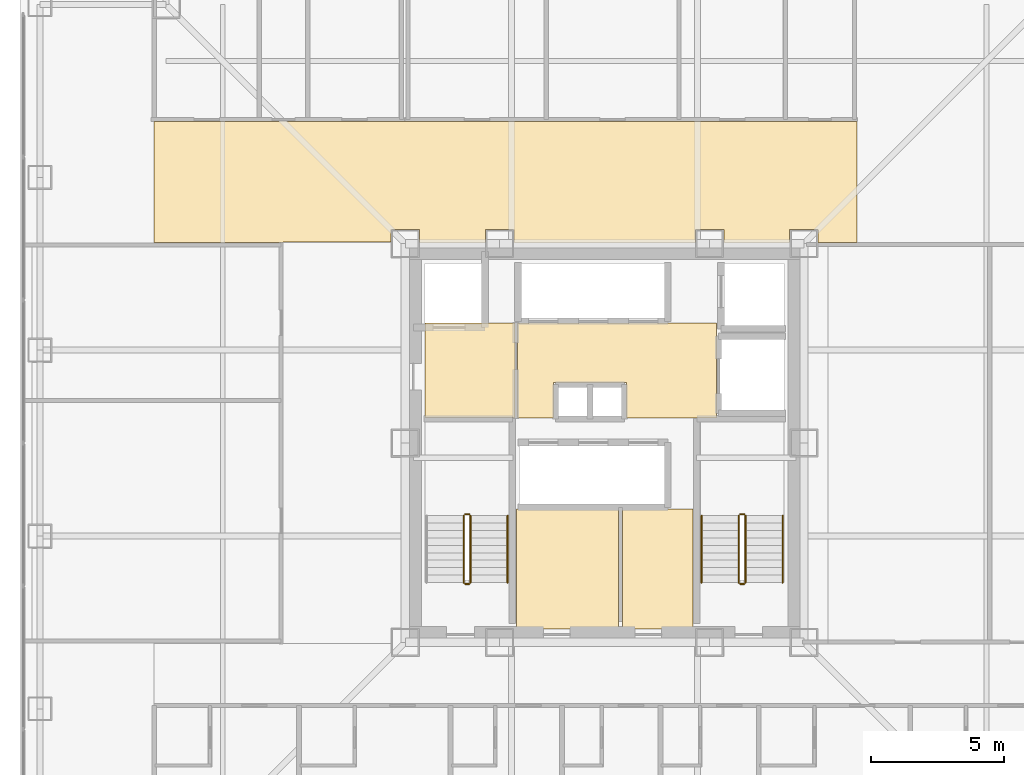
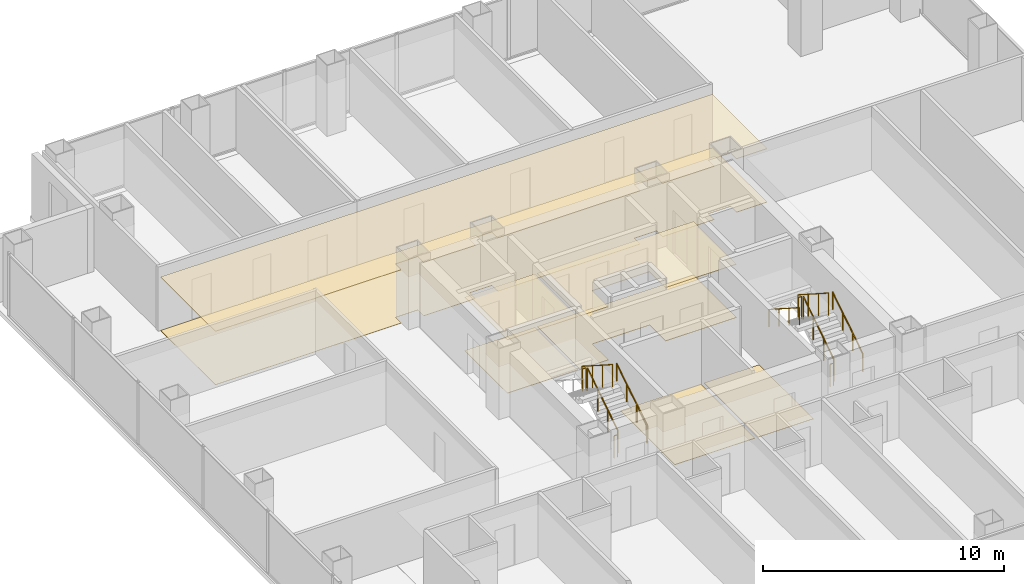
# One storey, part 17 of 18: 11 railings, 8 coverings.
"""IFC4 building model written with IfcOpenShell, lengths in metres."""

from ifc_helpers import new_model, si_unit, direction, frame, origin, origin_2d, place, context, subcontext, project, spatial, polyline, circle, outline, extrude, material, layer, layer_set, type_object, element, save


model = new_model("IFC4")

# Units and contexts
model_context = context("Model", 3, precision=1e-05, world=origin(), true_north=direction((0.0, 1.0)))
body_context = subcontext(model_context, "Body", "Model", "MODEL_VIEW")
ifc_project = project(units=[si_unit("LENGTHUNIT", "METRE"), si_unit("AREAUNIT", "SQUARE_METRE"), si_unit("VOLUMEUNIT", "CUBIC_METRE"), si_unit("PLANEANGLEUNIT", "RADIAN"), si_unit("MASSUNIT", "GRAM", prefix="KILO")], contexts=[model_context])

# Site, building, storey
site_placement = place(None, origin())
site = spatial("IfcSite", under=ifc_project, at=site_placement, CompositionType="ELEMENT")
building_placement = place(site_placement, origin())
building = spatial("IfcBuilding", under=site, at=building_placement, Name="Trevonay Congress Spire", CompositionType="ELEMENT")
storey_placement = place(building_placement, frame((0.0, 0.0, 151.60009765625)))
storey = spatial("IfcBuildingStorey", under=building, at=storey_placement, Name="L39", CompositionType="ELEMENT", Elevation=151.60009765625)

# Coverings
ifc_material_1 = material(Name="Acoustic Mineral Fibre Board", Category="gypsum")
ifc_layer_1 = layer(ifc_material_1, 0.02490234375, Name="Acoustic Mineral Fibre Board")
ifc_layer_set_1 = layer_set([ifc_layer_1], Name="Acoustic Mineral Fibre Board")
covering_type_1 = type_object("IfcCoveringType", Name="COV-CEIL-ACOUSTIC", PredefinedType="CEILING", material=ifc_layer_set_1)
covering_1_placement = place(storey_placement, frame((0.0, 0.0, 2.699951171875)))
element("IfcCovering", 1, at=covering_1_placement, inside=storey, type_object=covering_type_1, Name="L39 Firefighting Lift Lobby West acoustic suspended ceiling", PredefinedType="CEILING", context=body_context, shape_type="SweptSolid", body=[
    extrude(outline(polyline([(-6.75, 0.9599609375), (-3.3798828125, 0.9599609375), (-3.3798828125, 4.52001953125), (-6.75, 4.52001953125), (-6.75, 0.9599609375)])), origin(), (0.0, 0.0, 1.0), 0.02490234375),
])
covering_2_placement = place(storey_placement, frame((0.0, 0.0, 2.699951171875)))
element("IfcCovering", 2, at=covering_2_placement, inside=storey, type_object=covering_type_1, Name="L39 Central and High-Rise Passenger Lift Lobby acoustic suspended ceiling", PredefinedType="CEILING", context=body_context, shape_type="SweptSolid", body=[
    extrude(outline(polyline([(-3.280029296875, 0.949951171875), (-1.919921875, 0.949951171875), (-1.919921875, 2.280029296875), (0.820068359375, 2.280029296875), (0.820068359375, 0.949951171875), (4.219970703125, 0.949951171875), (4.219970703125, 4.52001953125), (-3.280029296875, 4.52001953125), (-3.280029296875, 0.949951171875)])), origin(), (0.0, 0.0, 1.0), 0.02490234375),
])
covering_3_placement = place(storey_placement, frame((0.0, 0.0, 2.699951171875)))
element("IfcCovering", 3, at=covering_3_placement, inside=storey, type_object=covering_type_1, Name="L39 North Sky Promenade Salon acoustic suspended ceiling", PredefinedType="CEILING", context=body_context, shape_type="SweptSolid", body=[
    extrude(outline(polyline([(-16.949951171875, 12.10009765625), (9.5, 12.10009765625), (9.5, 7.550048828125), (8.034912109375, 7.550048828125), (8.034912109375, 8.034912109375), (6.965087890625, 8.034912109375), (6.965087890625, 7.550048828125), (4.485107421875, 7.550048828125), (4.485107421875, 8.034912109375), (3.4150390625, 8.034912109375), (3.4150390625, 7.550048828125), (-3.4150390625, 7.550048828125), (-3.4150390625, 8.034912109375), (-4.485107421875, 8.034912109375), (-4.485107421875, 7.550048828125), (-6.965087890625, 7.550048828125), (-6.965087890625, 8.034912109375), (-8.034912109375, 8.034912109375), (-8.034912109375, 7.56005859375), (-12.110107421875, 7.56005859375), (-12.110107421875, 7.550048828125), (-16.949951171875, 7.550048828125), (-16.949951171875, 12.10009765625)])), origin(), (0.0, 0.0, 1.0), 0.02490234375),
])
ifc_material_2 = material(Name="Polished Granite Floor Tile", Category="masonry")
ifc_layer_2 = layer(ifc_material_2, 0.02001953125, Name="Polished Granite Floor Tile")
ifc_layer_set_2 = layer_set([ifc_layer_2], Name="Polished Granite Floor Tile")
covering_type_2 = type_object("IfcCoveringType", Name="COV-FLOOR-STONE", PredefinedType="FLOORING", material=ifc_layer_set_2)
covering_4_placement = place(storey_placement, origin())
element("IfcCovering", 4, at=covering_4_placement, inside=storey, type_object=covering_type_2, Name="L39 Firefighting Lift Lobby West floor finish", PredefinedType="FLOORING", context=body_context, shape_type="SweptSolid", body=[
    extrude(outline(polyline([(-6.75, 0.9599609375), (-3.3798828125, 0.9599609375), (-3.3798828125, 4.52001953125), (-6.75, 4.52001953125), (-6.75, 0.9599609375)])), origin(), (0.0, 0.0, 1.0), 0.02001953125),
])
covering_5_placement = place(storey_placement, origin())
element("IfcCovering", 5, at=covering_5_placement, inside=storey, type_object=covering_type_2, Name="L39 Central and High-Rise Passenger Lift Lobby floor finish", PredefinedType="FLOORING", context=body_context, shape_type="SweptSolid", body=[
    extrude(outline(polyline([(-3.280029296875, 0.949951171875), (-1.919921875, 0.949951171875), (-1.919921875, 2.280029296875), (0.820068359375, 2.280029296875), (0.820068359375, 0.949951171875), (4.219970703125, 0.949951171875), (4.219970703125, 4.52001953125), (-3.280029296875, 4.52001953125), (-3.280029296875, 0.949951171875)])), origin(), (0.0, 0.0, 1.0), 0.02001953125),
])
covering_6_placement = place(storey_placement, origin())
element("IfcCovering", 6, at=covering_6_placement, inside=storey, type_object=covering_type_2, Name="L39 Core Electrical Sub-Board Room floor finish", PredefinedType="FLOORING", context=body_context, shape_type="SweptSolid", body=[
    extrude(outline(polyline([(-3.320068359375, -7.0), (0.52001953125, -7.0), (0.52001953125, -2.47998046875), (-3.320068359375, -2.47998046875), (-3.320068359375, -7.0)])), origin(), (0.0, 0.0, 1.0), 0.02001953125),
])
covering_7_placement = place(storey_placement, origin())
element("IfcCovering", 7, at=covering_7_placement, inside=storey, type_object=covering_type_2, Name="L39 Cleaner and Housekeeping Store floor finish", PredefinedType="FLOORING", context=body_context, shape_type="SweptSolid", body=[
    extrude(outline(polyline([(0.679931640625, -7.0), (3.320068359375, -7.0), (3.320068359375, -2.47998046875), (0.679931640625, -2.47998046875), (0.679931640625, -7.0)])), origin(), (0.0, 0.0, 1.0), 0.02001953125),
])
ifc_material_3 = material(Name="Engineered Oak Flooring", Category="wood")
ifc_layer_3 = layer(ifc_material_3, 0.01806640625, Name="Engineered Oak Flooring")
ifc_layer_set_3 = layer_set([ifc_layer_3], Name="Engineered Oak Flooring")
covering_type_3 = type_object("IfcCoveringType", Name="COV-FLOOR-TIMBER", PredefinedType="FLOORING", material=ifc_layer_set_3)
covering_8_placement = place(storey_placement, origin())
element("IfcCovering", 8, at=covering_8_placement, inside=storey, type_object=covering_type_3, Name="L39 North Sky Promenade Salon floor finish", PredefinedType="FLOORING", context=body_context, shape_type="SweptSolid", body=[
    extrude(outline(polyline([(-16.949951171875, 12.10009765625), (9.5, 12.10009765625), (9.5, 7.550048828125), (8.034912109375, 7.550048828125), (8.034912109375, 8.034912109375), (6.965087890625, 8.034912109375), (6.965087890625, 7.550048828125), (4.485107421875, 7.550048828125), (4.485107421875, 8.034912109375), (3.4150390625, 8.034912109375), (3.4150390625, 7.550048828125), (-3.4150390625, 7.550048828125), (-3.4150390625, 8.034912109375), (-4.485107421875, 8.034912109375), (-4.485107421875, 7.550048828125), (-6.965087890625, 7.550048828125), (-6.965087890625, 8.034912109375), (-8.034912109375, 8.034912109375), (-8.034912109375, 7.56005859375), (-12.110107421875, 7.56005859375), (-12.110107421875, 7.550048828125), (-16.949951171875, 7.550048828125), (-16.949951171875, 12.10009765625)])), origin(), (0.0, 0.0, 1.0), 0.017822265625),
])

# Railings
ifc_material_4 = material(Name="Pale Anodised Aluminium EN AW-6063-T6", Category="aluminium")
railing_type_1 = type_object("IfcRailingType", Name="RAL-STAIR-GUARD-110", PredefinedType="GUARDRAIL", material=ifc_material_4)
railing_1_placement = place(storey_placement, frame((-5.050048828125, -5.25, 0.179931640625)))
element("IfcRailing", 9, at=railing_1_placement, inside=storey, type_object=railing_type_1, Name="L39 ST-1 stair guard 1", PredefinedType="GUARDRAIL", context=body_context, shape_type="SweptSolid", body=[
    extrude(circle(Radius=0.02392578125, at=origin_2d()), frame((0.0, 0.0, 1.1259765625), z_axis=(0.0, 0.841199657755, 0.540724639528), x_axis=(-1.0, 0.0, 0.0)), (0.0, 0.0, 1.0), 2.995849609375),
    extrude(circle(Radius=0.02099609375, at=origin_2d()), origin(), (0.0, 0.0, 1.0), 1.101806640625),
    extrude(circle(Radius=0.02099609375, at=origin_2d()), frame((0.0, 0.840087890625, 0.5400390625)), (0.0, 0.0, 1.0), 1.101806640625),
    extrude(circle(Radius=0.02099609375, at=origin_2d()), frame((0.0, 1.679931640625, 1.079833984375)), (0.0, 0.0, 1.0), 1.101806640625),
    extrude(circle(Radius=0.02099609375, at=origin_2d()), frame((0.0, 2.52001953125, 1.619873046875)), (0.0, 0.0, 1.0), 1.101806640625),
])
railing_2_placement = place(storey_placement, frame((-5.10009765625, -2.679931640625, 1.7998046875)))
element("IfcRailing", 10, at=railing_2_placement, inside=storey, type_object=railing_type_1, Name="L39 ST-1 stair guard 2", PredefinedType="GUARDRAIL", context=body_context, shape_type="SweptSolid", body=[
    extrude(circle(Radius=0.02392578125, at=origin_2d()), frame((0.0, 0.0, 1.1259765625), z_axis=(-1.0, 0.0, 0.0), x_axis=(0.0, -1.0, 0.0)), (0.0, 0.0, 1.0), 0.14990234375),
    extrude(circle(Radius=0.02099609375, at=origin_2d()), origin(), (0.0, 0.0, 1.0), 1.101806640625),
    extrude(circle(Radius=0.02099609375, at=origin_2d()), frame((-0.14990234375, 0.0, 0.0)), (0.0, 0.0, 1.0), 1.101806640625),
])
railing_3_placement = place(storey_placement, frame((-5.300048828125, -2.72998046875, 1.97998046875)))
element("IfcRailing", 11, at=railing_3_placement, inside=storey, type_object=railing_type_1, Name="L39 ST-1 stair guard 3", PredefinedType="GUARDRAIL", context=body_context, shape_type="SweptSolid", body=[
    extrude(circle(Radius=0.02392578125, at=origin_2d()), frame((0.0, 0.0, 1.1259765625), z_axis=(0.0, -0.841199657755, 0.540724639528), x_axis=(1.0, 0.0, 0.0)), (0.0, 0.0, 1.0), 2.995849609375),
    extrude(circle(Radius=0.02099609375, at=origin_2d()), origin(), (0.0, 0.0, 1.0), 1.101806640625),
    extrude(circle(Radius=0.02099609375, at=origin_2d()), frame((0.0, -0.840087890625, 0.5400390625)), (0.0, 0.0, 1.0), 1.101806640625),
    extrude(circle(Radius=0.02099609375, at=origin_2d()), frame((0.0, -1.679931640625, 1.079833984375)), (0.0, 0.0, 1.0), 1.101806640625),
    extrude(circle(Radius=0.02099609375, at=origin_2d()), frame((0.0, -2.52001953125, 1.619873046875)), (0.0, 0.0, 1.0), 1.101806640625),
])
railing_4_placement = place(storey_placement, frame((-5.10009765625, -5.300048828125, 0.0)))
element("IfcRailing", 12, at=railing_4_placement, inside=storey, type_object=railing_type_1, Name="L39 ST-1 stair guard 4", PredefinedType="GUARDRAIL", context=body_context, shape_type="SweptSolid", body=[
    extrude(circle(Radius=0.02392578125, at=origin_2d()), frame((0.0, 0.0, 1.1259765625), z_axis=(-1.0, 0.0, 0.0), x_axis=(0.0, -1.0, 0.0)), (0.0, 0.0, 1.0), 0.14990234375),
    extrude(circle(Radius=0.02099609375, at=origin_2d()), origin(), (0.0, 0.0, 1.0), 1.101806640625),
    extrude(circle(Radius=0.02099609375, at=origin_2d()), frame((-0.14990234375, 0.0, 0.0)), (0.0, 0.0, 1.0), 1.101806640625),
])
railing_5_placement = place(storey_placement, frame((5.300048828125, -5.25, 0.179931640625)))
element("IfcRailing", 13, at=railing_5_placement, inside=storey, type_object=railing_type_1, Name="L39 ST-2 stair guard 1", PredefinedType="GUARDRAIL", context=body_context, shape_type="SweptSolid", body=[
    extrude(circle(Radius=0.02392578125, at=origin_2d()), frame((0.0, 0.0, 1.1259765625), z_axis=(0.0, 0.841199657755, 0.540724639528), x_axis=(-1.0, 0.0, 0.0)), (0.0, 0.0, 1.0), 2.995849609375),
    extrude(circle(Radius=0.02099609375, at=origin_2d()), origin(), (0.0, 0.0, 1.0), 1.101806640625),
    extrude(circle(Radius=0.02099609375, at=origin_2d()), frame((0.0, 0.840087890625, 0.5400390625)), (0.0, 0.0, 1.0), 1.101806640625),
    extrude(circle(Radius=0.02099609375, at=origin_2d()), frame((0.0, 1.679931640625, 1.079833984375)), (0.0, 0.0, 1.0), 1.101806640625),
    extrude(circle(Radius=0.02099609375, at=origin_2d()), frame((0.0, 2.52001953125, 1.619873046875)), (0.0, 0.0, 1.0), 1.101806640625),
])
railing_6_placement = place(storey_placement, frame((5.25, -2.679931640625, 1.7998046875)))
element("IfcRailing", 14, at=railing_6_placement, inside=storey, type_object=railing_type_1, Name="L39 ST-2 stair guard 2", PredefinedType="GUARDRAIL", context=body_context, shape_type="SweptSolid", body=[
    extrude(circle(Radius=0.02392578125, at=origin_2d()), frame((0.0, 0.0, 1.1259765625), z_axis=(-1.0, 0.0, 0.0), x_axis=(0.0, -1.0, 0.0)), (0.0, 0.0, 1.0), 0.14990234375),
    extrude(circle(Radius=0.02099609375, at=origin_2d()), origin(), (0.0, 0.0, 1.0), 1.101806640625),
    extrude(circle(Radius=0.02099609375, at=origin_2d()), frame((-0.14990234375, 0.0, 0.0)), (0.0, 0.0, 1.0), 1.101806640625),
])
railing_7_placement = place(storey_placement, frame((5.050048828125, -2.72998046875, 1.97998046875)))
element("IfcRailing", 15, at=railing_7_placement, inside=storey, type_object=railing_type_1, Name="L39 ST-2 stair guard 3", PredefinedType="GUARDRAIL", context=body_context, shape_type="SweptSolid", body=[
    extrude(circle(Radius=0.02392578125, at=origin_2d()), frame((0.0, 0.0, 1.1259765625), z_axis=(0.0, -0.841199657755, 0.540724639528), x_axis=(1.0, 0.0, 0.0)), (0.0, 0.0, 1.0), 2.995849609375),
    extrude(circle(Radius=0.02099609375, at=origin_2d()), origin(), (0.0, 0.0, 1.0), 1.101806640625),
    extrude(circle(Radius=0.02099609375, at=origin_2d()), frame((0.0, -0.840087890625, 0.5400390625)), (0.0, 0.0, 1.0), 1.101806640625),
    extrude(circle(Radius=0.02099609375, at=origin_2d()), frame((0.0, -1.679931640625, 1.079833984375)), (0.0, 0.0, 1.0), 1.101806640625),
    extrude(circle(Radius=0.02099609375, at=origin_2d()), frame((0.0, -2.52001953125, 1.619873046875)), (0.0, 0.0, 1.0), 1.101806640625),
])
railing_8_placement = place(storey_placement, frame((5.25, -5.300048828125, 0.0)))
element("IfcRailing", 16, at=railing_8_placement, inside=storey, type_object=railing_type_1, Name="L39 ST-2 stair guard 4", PredefinedType="GUARDRAIL", context=body_context, shape_type="SweptSolid", body=[
    extrude(circle(Radius=0.02392578125, at=origin_2d()), frame((0.0, 0.0, 1.1259765625), z_axis=(-1.0, 0.0, 0.0), x_axis=(0.0, -1.0, 0.0)), (0.0, 0.0, 1.0), 0.14990234375),
    extrude(circle(Radius=0.02099609375, at=origin_2d()), origin(), (0.0, 0.0, 1.0), 1.101806640625),
    extrude(circle(Radius=0.02099609375, at=origin_2d()), frame((-0.14990234375, 0.0, 0.0)), (0.0, 0.0, 1.0), 1.101806640625),
])
railing_type_2 = type_object("IfcRailingType", Name="RAL-STAIR-HANDRAIL", PredefinedType="HANDRAIL", material=ifc_material_4)
for number, where, name in (
    (17, (-3.64990234375, -5.25, 0.179931640625), "L39 ST-1 stair handrail 1"),
    (18, (6.699951171875, -5.25, 0.179931640625), "L39 ST-2 stair handrail 1"),
):
    element("IfcRailing", number, at=place(storey_placement, frame(where)), inside=storey, type_object=railing_type_2, Name=name, PredefinedType="HANDRAIL", context=body_context, shape_type="SweptSolid", body=[
        extrude(circle(Radius=0.02392578125, at=origin_2d()), frame((0.0, 0.0, 0.8759765625), z_axis=(0.0, 0.841199657755, 0.540724639528), x_axis=(-1.0, 0.0, 0.0)), (0.0, 0.0, 1.0), 2.995849609375),
        extrude(circle(Radius=0.02099609375, at=origin_2d()), origin(), (0.0, 0.0, 1.0), 0.851806640625),
        extrude(circle(Radius=0.02099609375, at=origin_2d()), frame((0.0, 0.840087890625, 0.5400390625)), (0.0, 0.0, 1.0), 0.851806640625),
        extrude(circle(Radius=0.02099609375, at=origin_2d()), frame((0.0, 1.679931640625, 1.079833984375)), (0.0, 0.0, 1.0), 0.851806640625),
        extrude(circle(Radius=0.02099609375, at=origin_2d()), frame((0.0, 2.52001953125, 1.619873046875)), (0.0, 0.0, 1.0), 0.851806640625),
    ])
railing_9_placement = place(storey_placement, frame((3.64990234375, -2.72998046875, 1.97998046875)))
element("IfcRailing", 19, at=railing_9_placement, inside=storey, type_object=railing_type_2, Name="L39 ST-2 stair handrail 2", PredefinedType="HANDRAIL", context=body_context, shape_type="SweptSolid", body=[
    extrude(circle(Radius=0.02392578125, at=origin_2d()), frame((0.0, 0.0, 0.8759765625), z_axis=(0.0, -0.841199657755, 0.540724639528), x_axis=(1.0, 0.0, 0.0)), (0.0, 0.0, 1.0), 2.995849609375),
    extrude(circle(Radius=0.02099609375, at=origin_2d()), origin(), (0.0, 0.0, 1.0), 0.851806640625),
    extrude(circle(Radius=0.02099609375, at=origin_2d()), frame((0.0, -0.840087890625, 0.5400390625)), (0.0, 0.0, 1.0), 0.851806640625),
    extrude(circle(Radius=0.02099609375, at=origin_2d()), frame((0.0, -1.679931640625, 1.079833984375)), (0.0, 0.0, 1.0), 0.851806640625),
    extrude(circle(Radius=0.02099609375, at=origin_2d()), frame((0.0, -2.52001953125, 1.619873046875)), (0.0, 0.0, 1.0), 0.851806640625),
])

save(model, "model.ifc")
